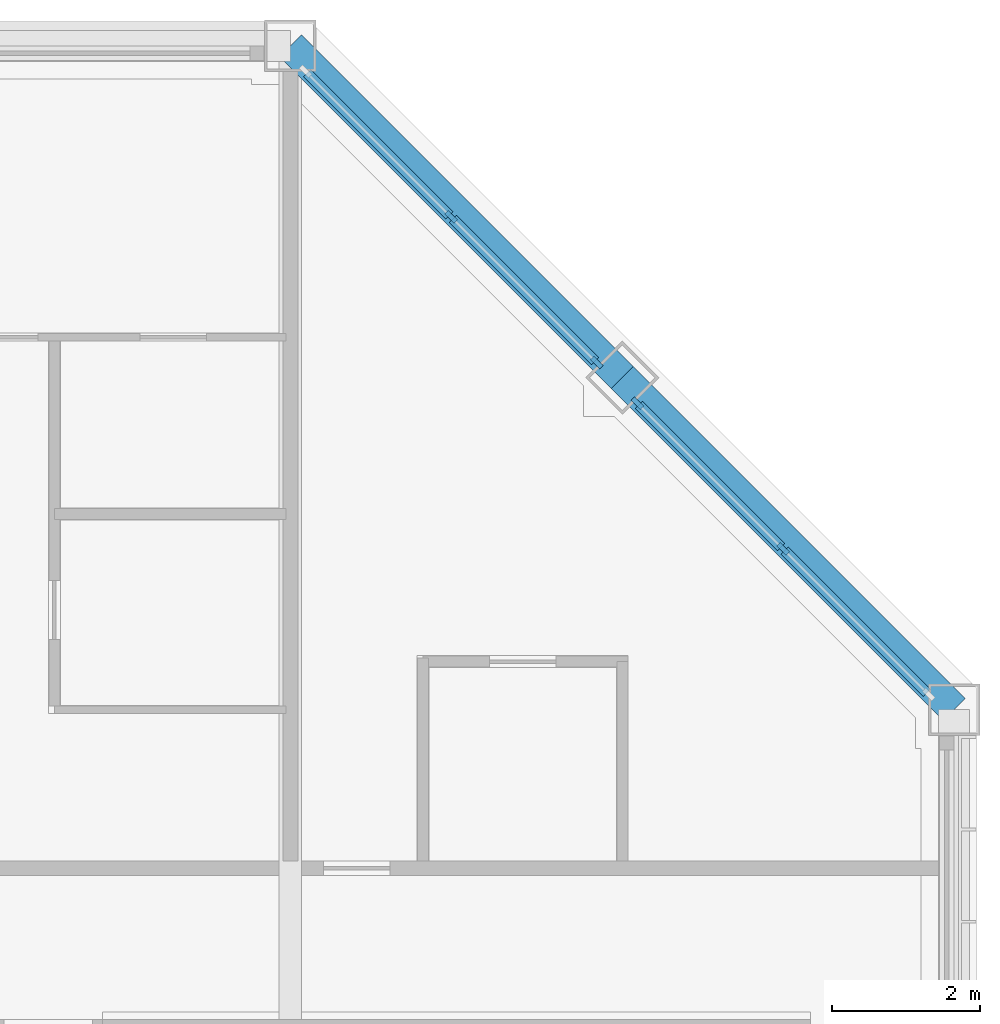
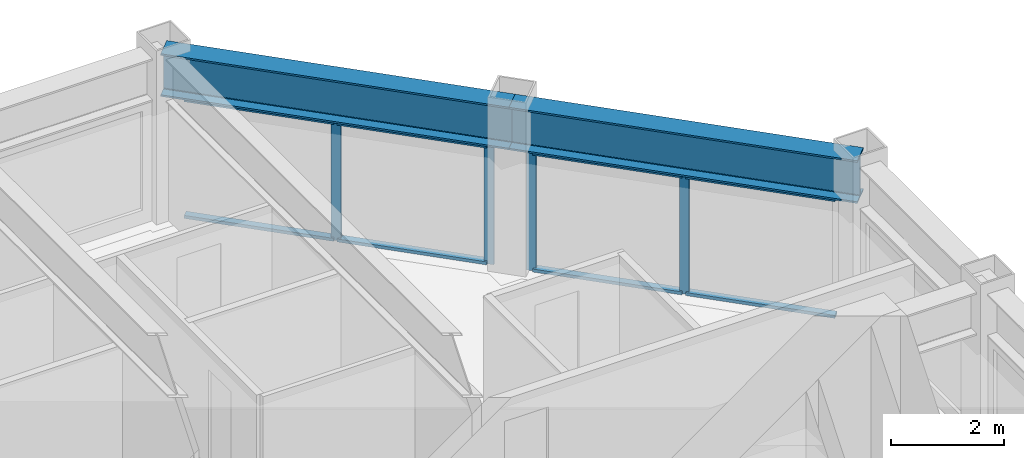
# One storey, part 7 of 17: 12 members, 2 beams, 2 elements without a shape of their own.
"""IFC4 building model written with IfcOpenShell, lengths in metres."""

from ifc_helpers import new_model, si_unit, direction, frame, origin, origin_2d, place, context, subcontext, project, spatial, rectangle, i_section, extrude, material, material_profile, profile_set, type_object, element, aggregate, save


model = new_model("IFC4")

# Units and contexts
model_context = context("Model", 3, precision=1e-05, world=origin(), true_north=direction((0.0, 1.0)))
body_context = subcontext(model_context, "Body", "Model", "MODEL_VIEW")
ifc_project = project(units=[si_unit("LENGTHUNIT", "METRE"), si_unit("AREAUNIT", "SQUARE_METRE"), si_unit("VOLUMEUNIT", "CUBIC_METRE"), si_unit("PLANEANGLEUNIT", "RADIAN"), si_unit("MASSUNIT", "GRAM", prefix="KILO")], contexts=[model_context])

# Site, building, storey
site_placement = place(None, origin())
site = spatial("IfcSite", under=ifc_project, at=site_placement, CompositionType="ELEMENT")
building_placement = place(site_placement, origin())
building = spatial("IfcBuilding", under=site, at=building_placement, Name="Msasa Ring Tower", CompositionType="ELEMENT")
storey_placement = place(building_placement, frame((0.0, 0.0, 253.300048828125)))
storey = spatial("IfcBuildingStorey", under=building, at=storey_placement, Name="L66", CompositionType="ELEMENT", Elevation=253.300048828125)

# Curtain wall, members
ifc_material_1 = material(Name="Aluminium curtain wall with clear glass", Category="aluminium")
curtain_wall_type = type_object("IfcCurtainWallType", Name="CW-C CHAMFER CORNER CURTAIN WALL", PredefinedType="NOTDEFINED", material=ifc_material_1)
curtain_wall_1_placement = place(storey_placement, origin())
curtain_wall_1 = element("IfcCurtainWall", 1, at=curtain_wall_1_placement, inside=storey, type_object=curtain_wall_type, Name="Chamfer corner curtain wall NE L66", PredefinedType="NOTDEFINED")
ifc_material_2 = material(Name="Aluminium mullion", Category="aluminium")
ifc_material_profile_1 = material_profile(ifc_material_2, rectangle(XDim=0.06494140625, YDim=0.179931640625, at=origin_2d()), Name="AL 65x180")
ifc_profile_set_1 = profile_set([ifc_material_profile_1], Name="Aluminium mullion")
member_type_1 = type_object("IfcMemberType", Name="CW-C MULLION 65x180", PredefinedType="MULLION", material=ifc_profile_set_1)
member_1_placement = place(storey_placement, frame((15.4052734375, 15.953369140625, 0.0), z_axis=(0.0, 0.0, 1.0), x_axis=(-0.707106781187, -0.707106781187, 0.0)))
member_1 = element("IfcMember", 2, at=member_1_placement, type_object=member_type_1, Name="CW-C mullion 1", PredefinedType="MULLION", context=body_context, shape_type="SweptSolid", body=[
    extrude(rectangle(XDim=0.06494140625, YDim=0.179931640625, at=origin_2d()), origin(), (0.0, 0.0, 1.0), 2.578857421875),
])
member_2_placement = place(storey_placement, frame((13.42919921875, 17.92919921875, 0.0), z_axis=(0.0, 0.0, 1.0), x_axis=(-0.707106781187, -0.707106781187, 0.0)))
member_2 = element("IfcMember", 3, at=member_2_placement, type_object=member_type_1, Name="CW-C mullion 2", PredefinedType="MULLION", context=body_context, shape_type="SweptSolid", body=[
    extrude(rectangle(XDim=0.06494140625, YDim=0.179931640625, at=origin_2d()), origin(), (0.0, 0.0, 1.0), 2.578857421875),
])

curtain_wall_2_placement = place(storey_placement, origin())
curtain_wall_2 = element("IfcCurtainWall", 4, at=curtain_wall_2_placement, inside=storey, type_object=curtain_wall_type, Name="Chamfer corner curtain wall NE L66", PredefinedType="NOTDEFINED")
member_3_placement = place(storey_placement, frame((17.92919921875, 13.42919921875, 0.0), z_axis=(0.0, 0.0, 1.0), x_axis=(-0.707106781187, -0.707106781187, 0.0)))
member_3 = element("IfcMember", 5, at=member_3_placement, type_object=member_type_1, Name="CW-C mullion 2", PredefinedType="MULLION", context=body_context, shape_type="SweptSolid", body=[
    extrude(rectangle(XDim=0.06494140625, YDim=0.179931640625, at=origin_2d()), origin(), (0.0, 0.0, 1.0), 2.578857421875),
])
member_4_placement = place(storey_placement, frame((15.953369140625, 15.4052734375, 0.0), z_axis=(0.0, 0.0, 1.0), x_axis=(-0.707106781187, -0.707106781187, 0.0)))
member_4 = element("IfcMember", 6, at=member_4_placement, type_object=member_type_1, Name="CW-C mullion 3", PredefinedType="MULLION", context=body_context, shape_type="SweptSolid", body=[
    extrude(rectangle(XDim=0.06494140625, YDim=0.179931640625, at=origin_2d()), origin(), (0.0, 0.0, 1.0), 2.578857421875),
])

# Member
ifc_material_3 = material(Name="Aluminium transom", Category="aluminium")
ifc_material_profile_2 = material_profile(ifc_material_3, rectangle(XDim=0.139892578125, YDim=0.06494140625, at=origin_2d()), Name="AL 65x140")
ifc_profile_set_2 = profile_set([ifc_material_profile_2], Name="Aluminium transom")
member_type_2 = type_object("IfcMemberType", Name="CW-C TRANSOM 65x140", PredefinedType="USERDEFINED", material=ifc_profile_set_2)
member_5_placement = place(storey_placement, frame((15.38232421875, 15.976318359375, 0.032470703125), z_axis=(-0.707106781187, 0.707106781187, 0.0), x_axis=(-0.707106781187, -0.707106781187, 0.0)))
member_5 = element("IfcMember", 7, at=member_5_placement, type_object=member_type_2, Name="CW-C transom 1.1", ObjectType="TRANSOM", PredefinedType="USERDEFINED", context=body_context, shape_type="SweptSolid", body=[
    extrude(rectangle(XDim=0.139892578125, YDim=0.06494140625, at=origin_2d()), origin(), (0.0, 0.0, 1.0), 2.729248046875),
])

member_6_placement = place(storey_placement, frame((15.38232421875, 15.976318359375, 2.54638671875), z_axis=(-0.707106781187, 0.707106781187, 0.0), x_axis=(-0.707106781187, -0.707106781187, 0.0)))
member_6 = element("IfcMember", 8, at=member_6_placement, type_object=member_type_2, Name="CW-C transom 1.2", ObjectType="TRANSOM", PredefinedType="USERDEFINED", context=body_context, shape_type="SweptSolid", body=[
    extrude(rectangle(XDim=0.139892578125, YDim=0.06494140625, at=origin_2d()), origin(), (0.0, 0.0, 1.0), 2.729248046875),
])

member_7_placement = place(storey_placement, frame((13.40625, 17.952392578125, 0.032470703125), z_axis=(-0.707106781187, 0.707106781187, 0.0), x_axis=(-0.707106781187, -0.707106781187, 0.0)))
member_7 = element("IfcMember", 9, at=member_7_placement, type_object=member_type_2, Name="CW-C transom 2.1", ObjectType="TRANSOM", PredefinedType="USERDEFINED", context=body_context, shape_type="SweptSolid", body=[
    extrude(rectangle(XDim=0.139892578125, YDim=0.06494140625, at=origin_2d()), origin(), (0.0, 0.0, 1.0), 2.729248046875),
])

member_8_placement = place(storey_placement, frame((13.40625, 17.952392578125, 2.54638671875), z_axis=(-0.707106781187, 0.707106781187, 0.0), x_axis=(-0.707106781187, -0.707106781187, 0.0)))
member_8 = element("IfcMember", 10, at=member_8_placement, type_object=member_type_2, Name="CW-C transom 2.2", ObjectType="TRANSOM", PredefinedType="USERDEFINED", context=body_context, shape_type="SweptSolid", body=[
    extrude(rectangle(XDim=0.139892578125, YDim=0.06494140625, at=origin_2d()), origin(), (0.0, 0.0, 1.0), 2.729248046875),
])

aggregate(curtain_wall_1, [member_1, member_2, member_5, member_6, member_7, member_8])

member_9_placement = place(storey_placement, frame((19.88232421875, 11.476318359375, 0.032470703125), z_axis=(-0.707106781187, 0.707106781187, 0.0), x_axis=(-0.707106781187, -0.707106781187, 0.0)))
member_9 = element("IfcMember", 11, at=member_9_placement, type_object=member_type_2, Name="CW-C transom 1.1", ObjectType="TRANSOM", PredefinedType="USERDEFINED", context=body_context, shape_type="SweptSolid", body=[
    extrude(rectangle(XDim=0.139892578125, YDim=0.06494140625, at=origin_2d()), origin(), (0.0, 0.0, 1.0), 2.729248046875),
])

member_10_placement = place(storey_placement, frame((19.88232421875, 11.476318359375, 2.54638671875), z_axis=(-0.707106781187, 0.707106781187, 0.0), x_axis=(-0.707106781187, -0.707106781187, 0.0)))
member_10 = element("IfcMember", 12, at=member_10_placement, type_object=member_type_2, Name="CW-C transom 1.2", ObjectType="TRANSOM", PredefinedType="USERDEFINED", context=body_context, shape_type="SweptSolid", body=[
    extrude(rectangle(XDim=0.139892578125, YDim=0.06494140625, at=origin_2d()), origin(), (0.0, 0.0, 1.0), 2.729248046875),
])

member_11_placement = place(storey_placement, frame((17.90625, 13.452392578125, 0.032470703125), z_axis=(-0.707106781187, 0.707106781187, 0.0), x_axis=(-0.707106781187, -0.707106781187, 0.0)))
member_11 = element("IfcMember", 13, at=member_11_placement, type_object=member_type_2, Name="CW-C transom 2.1", ObjectType="TRANSOM", PredefinedType="USERDEFINED", context=body_context, shape_type="SweptSolid", body=[
    extrude(rectangle(XDim=0.139892578125, YDim=0.06494140625, at=origin_2d()), origin(), (0.0, 0.0, 1.0), 2.729248046875),
])

member_12_placement = place(storey_placement, frame((17.90625, 13.452392578125, 2.54638671875), z_axis=(-0.707106781187, 0.707106781187, 0.0), x_axis=(-0.707106781187, -0.707106781187, 0.0)))
member_12 = element("IfcMember", 14, at=member_12_placement, type_object=member_type_2, Name="CW-C transom 2.2", ObjectType="TRANSOM", PredefinedType="USERDEFINED", context=body_context, shape_type="SweptSolid", body=[
    extrude(rectangle(XDim=0.139892578125, YDim=0.06494140625, at=origin_2d()), origin(), (0.0, 0.0, 1.0), 2.729248046875),
])

aggregate(curtain_wall_2, [member_3, member_4, member_9, member_10, member_11, member_12])

# Beams
ifc_material_4 = material(Name="Steel S355", Category="steel")
ifc_material_profile_3 = material_profile(ifc_material_4, i_section(OverallWidth=0.42041015625, OverallDepth=0.9208984375, WebThickness=0.021484375, FlangeThickness=0.03662109375, FilletRadius=0.024169921875, at=origin_2d()), Name="UB 914x419x388")
ifc_profile_set_3 = profile_set([ifc_material_profile_3], Name="Steel S355")
beam_type = type_object("IfcBeamType", Name="SB1 UB 914x419x388", PredefinedType="SPANDREL", material=ifc_profile_set_3)
for number, where, z_axis, x_axis, name in (
    (15, (20.25, 11.25, 3.03955078125), (-0.707106781187, 0.707106781187, 0.0), (-0.707106781187, -0.707106781187, 0.0), "Spandrel E+11.25 to NE under L67"),
    (16, (15.75, 15.75, 3.03955078125), (-0.707106781187, 0.707106781187, 0.0), (-0.707106781187, -0.707106781187, 0.0), "Spandrel NE to N+11.25 under L67"),
):
    element("IfcBeam", number, at=place(storey_placement, frame(where, z_axis=z_axis, x_axis=x_axis)), inside=storey, type_object=beam_type, Name=name, PredefinedType="SPANDREL", context=body_context, shape_type="SweptSolid", body=[
        extrude(i_section(OverallWidth=0.42041015625, OverallDepth=0.9208984375, WebThickness=0.021484375, FlangeThickness=0.03662109375, FilletRadius=0.024169921875, at=origin_2d()), origin(), (0.0, 0.0, 1.0), 6.364013671875),
    ])

save(model, "model.ifc")
